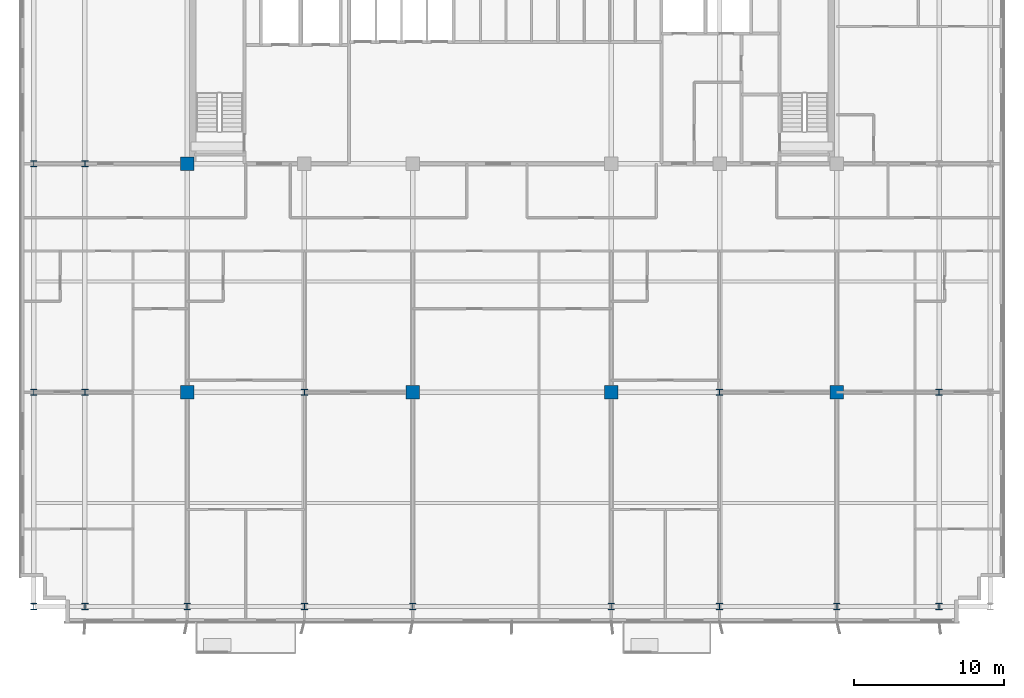
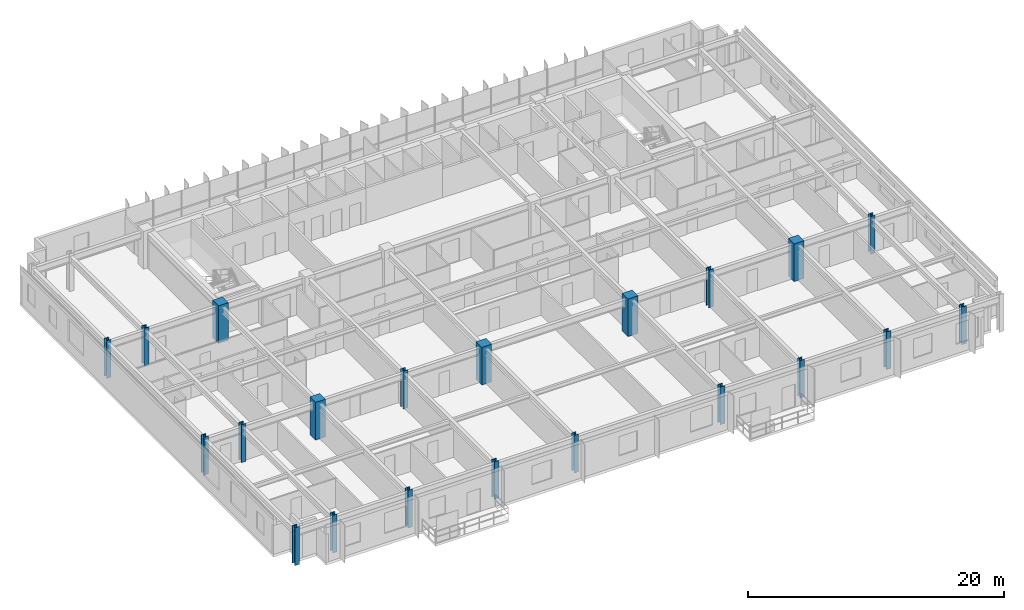
# One storey, part 1 of 22: 21 columns.
"""IFC4 building model written with IfcOpenShell, lengths in metres."""

from ifc_helpers import new_model, si_unit, direction, frame, origin, origin_2d, place, context, subcontext, project, spatial, rectangle, i_section, extrude, source, transform, mapped, material, material_profile, profile_set, type_object, element, save


model = new_model("IFC4")

# Units and contexts
model_context = context("Model", 3, precision=1e-05, world=origin(), true_north=direction((0.0, 1.0)))
body_context = subcontext(model_context, "Body", "Model", "MODEL_VIEW")
ifc_project = project(units=[si_unit("LENGTHUNIT", "METRE"), si_unit("AREAUNIT", "SQUARE_METRE"), si_unit("VOLUMEUNIT", "CUBIC_METRE"), si_unit("PLANEANGLEUNIT", "RADIAN"), si_unit("MASSUNIT", "GRAM", prefix="KILO")], contexts=[model_context])

# Site, building, storey
site_placement = place(None, origin())
site = spatial("IfcSite", under=ifc_project, at=site_placement, CompositionType="ELEMENT")
building_placement = place(site_placement, origin())
building = spatial("IfcBuilding", under=site, at=building_placement, Name="Trelvane Seafront Commons", CompositionType="ELEMENT")
storey_placement = place(building_placement, frame((0.0, 0.0, 52.300048828125)))
storey = spatial("IfcBuildingStorey", under=building, at=storey_placement, Name="L13", CompositionType="ELEMENT", Elevation=52.300048828125)

# Columns
ifc_material_1 = material(Name="Steel SM355 (S355)", Category="steel")
ifc_material_profile_1 = material_profile(ifc_material_1, i_section(OverallWidth=0.419921875, OverallDepth=0.419921875, WebThickness=0.02587890625, FlangeThickness=0.0400390625, at=origin_2d()), Name="HD-420x420x26x40")
ifc_profile_set_1 = profile_set([ifc_material_profile_1], Name="Steel SM355 (S355)")
column_type_1 = type_object("IfcColumnType", Name="STR-COL-HD420", PredefinedType="COLUMN", material=ifc_profile_set_1)
shared_shape_1 = source(origin(), body_context, "Body", "SweptSolid", [
    extrude(i_section(OverallWidth=0.419921875, OverallDepth=0.419921875, WebThickness=0.02587890625, FlangeThickness=0.0400390625, at=origin_2d()), origin(), (0.0, 0.0, 1.0), 3.599853515625),
])
for number, where, z_axis, x_axis, name in (
    (1, (5.39990234375, 3.949951171875, 0.0), (0.0, 0.0, 1.0), (1.0, 0.0, 0.0), "L13 Column TC-S5.4"),
    (2, (5.39990234375, 18.199951171875, 0.0), (0.0, 0.0, 1.0), (1.0, 0.0, 0.0), "L13 Column TC-M5.4"),
    (3, (5.39990234375, 33.39990234375, 0.0), (0.0, 0.0, 1.0), (1.0, 0.0, 0.0), "L13 Column TC-CS5.4"),
    (4, (8.800048828125, 3.949951171875, 0.0), (0.0, 0.0, 1.0), (1.0, 0.0, 0.0), "L13 Column TC-S8.8"),
    (5, (8.800048828125, 18.199951171875, 0.0), (0.0, 0.0, 1.0), (1.0, 0.0, 0.0), "L13 Column TC-M8.8"),
    (6, (8.800048828125, 33.39990234375, 0.0), (0.0, 0.0, 1.0), (1.0, 0.0, 0.0), "L13 Column TC-CS8.8"),
    (7, (15.60009765625, 3.949951171875, 0.0), (0.0, 0.0, 1.0), (1.0, 0.0, 0.0), "L13 Column TC-S15.6"),
    (8, (23.39990234375, 3.949951171875, 0.0), (0.0, 0.0, 1.0), (1.0, 0.0, 0.0), "L13 Column TC-S23.4"),
    (9, (23.39990234375, 18.199951171875, 0.0), (0.0, 0.0, 1.0), (1.0, 0.0, 0.0), "L13 Column TC-M23.4"),
    (10, (30.60009765625, 3.949951171875, 0.0), (0.0, 0.0, 1.0), (1.0, 0.0, 0.0), "L13 Column TC-S30.6"),
    (11, (43.800048828125, 3.949951171875, 0.0), (0.0, 0.0, 1.0), (1.0, 0.0, 0.0), "L13 Column TC-S43.8"),
    (12, (51.0, 3.949951171875, 0.0), (0.0, 0.0, 1.0), (1.0, 0.0, 0.0), "L13 Column TC-S51.0"),
    (13, (51.0, 18.199951171875, 0.0), (0.0, 0.0, 1.0), (1.0, 0.0, 0.0), "L13 Column TC-M51.0"),
    (14, (58.800048828125, 3.949951171875, 0.0), (0.0, 0.0, 1.0), (1.0, 0.0, 0.0), "L13 Column TC-S58.8"),
    (15, (65.60009765625, 3.949951171875, 0.0), (0.0, 0.0, 1.0), (1.0, 0.0, 0.0), "L13 Column TC-S65.6"),
    (16, (65.60009765625, 18.199951171875, 0.0), (0.0, 0.0, 1.0), (1.0, 0.0, 0.0), "L13 Column TC-M65.6"),
):
    element("IfcColumn", number, at=place(storey_placement, frame(where, z_axis=z_axis, x_axis=x_axis)), inside=storey, type_object=column_type_1, Name=name, PredefinedType="COLUMN", context=body_context, shape_type="MappedRepresentation", body=[
        mapped(shared_shape_1, transform((0.0, 0.0, 0.0), x_axis=(1.0, 0.0, 0.0), y_axis=(0.0, 1.0, 0.0), z_axis=(0.0, 0.0, 1.0), scale=1.0)),
    ])
ifc_material_2 = material(Name="Concrete C60/75", Category="concrete")
ifc_material_profile_2 = material_profile(ifc_material_2, rectangle(XDim=0.89990234375, YDim=0.89990234375, at=origin_2d()), Name="RC-900x900")
ifc_profile_set_2 = profile_set([ifc_material_profile_2], Name="Concrete C60/75")
column_type_2 = type_object("IfcColumnType", Name="STR-COL-RC900", PredefinedType="COLUMN", material=ifc_profile_set_2)
shared_shape_2 = source(origin(), body_context, "Body", "SweptSolid", [
    extrude(rectangle(XDim=0.89990234375, YDim=0.89990234375, at=origin_2d()), origin(), (0.0, 0.0, 1.0), 3.599853515625),
])
for number, where, z_axis, x_axis, name in (
    (17, (15.60009765625, 18.199951171875, 0.0), (0.0, 0.0, 1.0), (1.0, 0.0, 0.0), "L13 Column TC-M15.6"),
    (18, (15.60009765625, 33.39990234375, 0.0), (0.0, 0.0, 1.0), (1.0, 0.0, 0.0), "L13 Column TC-CS15.6"),
    (19, (30.60009765625, 18.199951171875, 0.0), (0.0, 0.0, 1.0), (1.0, 0.0, 0.0), "L13 Column TC-M30.6"),
    (20, (43.800048828125, 18.199951171875, 0.0), (0.0, 0.0, 1.0), (1.0, 0.0, 0.0), "L13 Column TC-M43.8"),
    (21, (58.800048828125, 18.199951171875, 0.0), (0.0, 0.0, 1.0), (1.0, 0.0, 0.0), "L13 Column TC-M58.8"),
):
    element("IfcColumn", number, at=place(storey_placement, frame(where, z_axis=z_axis, x_axis=x_axis)), inside=storey, type_object=column_type_2, Name=name, PredefinedType="COLUMN", context=body_context, shape_type="MappedRepresentation", body=[
        mapped(shared_shape_2, transform((0.0, 0.0, 0.0), x_axis=(1.0, 0.0, 0.0), y_axis=(0.0, 1.0, 0.0), z_axis=(0.0, 0.0, 1.0), scale=1.0)),
    ])

save(model, "model.ifc")
